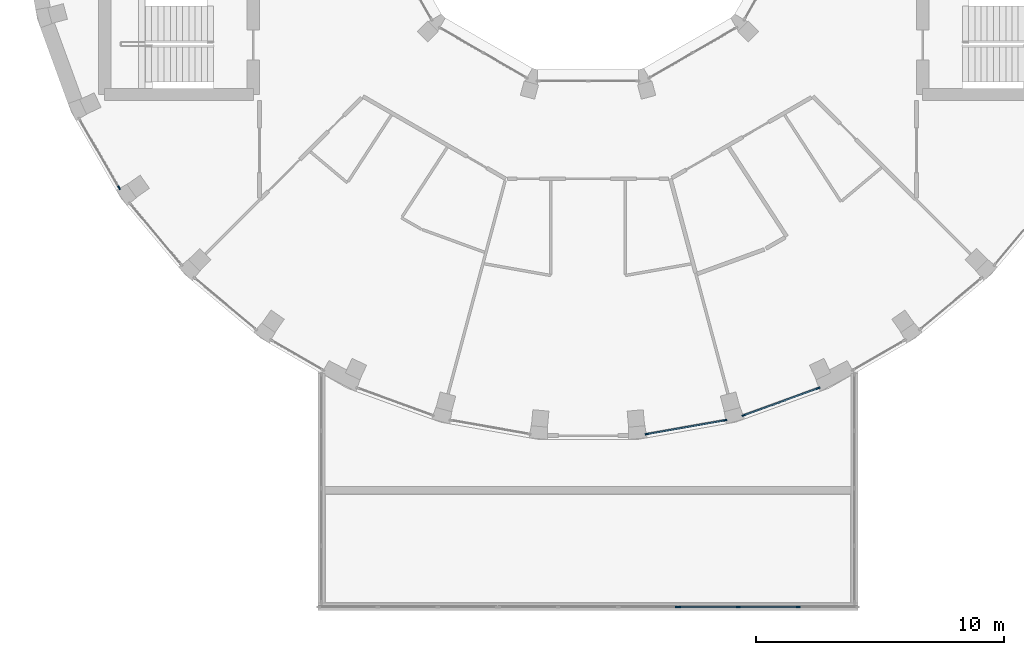
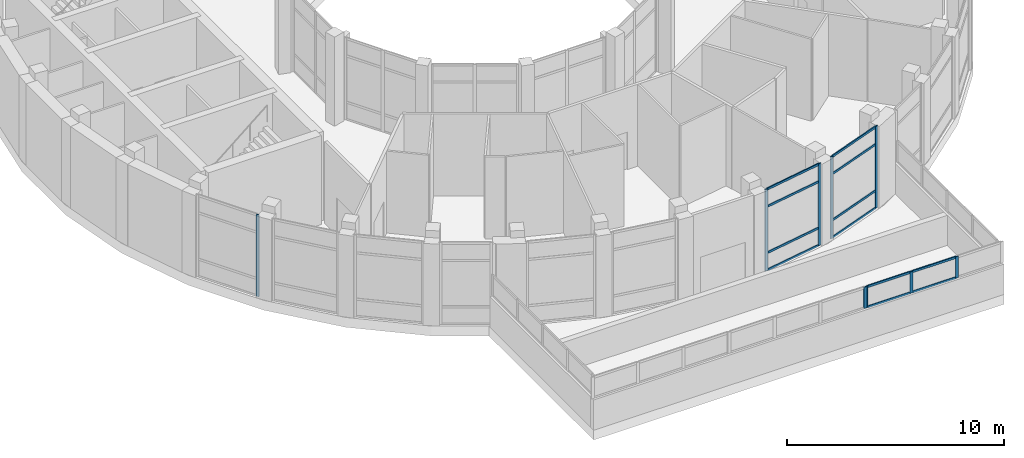
# One storey, part 3 of 19: 21 members, 5 elements without a shape of their own.
"""IFC4 building model written with IfcOpenShell, lengths in metres."""

from ifc_helpers import new_model, si_unit, direction, frame, origin, origin_2d, place, context, subcontext, project, spatial, rectangle, extrude, material, layer, layer_set, material_profile, profile_set, type_object, element, aggregate, save


model = new_model("IFC4")

# Units and contexts
model_context = context("Model", 3, precision=1e-05, world=origin(), true_north=direction((0.0, 1.0)))
body_context = subcontext(model_context, "Body", "Model", "MODEL_VIEW")
ifc_project = project(units=[si_unit("LENGTHUNIT", "METRE"), si_unit("AREAUNIT", "SQUARE_METRE"), si_unit("VOLUMEUNIT", "CUBIC_METRE"), si_unit("PLANEANGLEUNIT", "RADIAN"), si_unit("MASSUNIT", "GRAM", prefix="KILO")], contexts=[model_context])

# Site, building, storey
site_placement = place(None, origin())
site = spatial("IfcSite", under=ifc_project, at=site_placement, CompositionType="ELEMENT")
building_placement = place(site_placement, origin())
building = spatial("IfcBuilding", under=site, at=building_placement, Name="Saqina Gate Tower", CompositionType="ELEMENT")
storey_placement = place(building_placement, frame((0.0, 0.0, 224.699951171875)))
storey = spatial("IfcBuildingStorey", under=building, at=storey_placement, Name="L64", CompositionType="ELEMENT", Elevation=224.699951171875)

# Curtain wall, member
ifc_material_1 = material(Name="Aluminium glazing", Category="aluminium")
ifc_layer_1 = layer(ifc_material_1, 0.159912109375)
ifc_layer_set_1 = layer_set([ifc_layer_1], Name="CWT-2")
curtain_wall_type_1 = type_object("IfcCurtainWallType", Name="CWT-2", PredefinedType="NOTDEFINED", material=ifc_layer_set_1)
curtain_wall_1_placement = place(storey_placement, origin())
curtain_wall_1 = element("IfcCurtainWall", 1, at=curtain_wall_1_placement, inside=storey, type_object=curtain_wall_type_1, Name="Sky lounge glazing facet 21", PredefinedType="NOTDEFINED")
ifc_material_2 = material(Name="Aluminium", Category="aluminium")
ifc_material_profile_1 = material_profile(ifc_material_2, rectangle(XDim=0.06005859375, YDim=0.159912109375, at=origin_2d()), Name="Aluminium 60x160")
ifc_profile_set_1 = profile_set([ifc_material_profile_1], Name="Aluminium")
member_type_1 = type_object("IfcMemberType", Name="CWT-2M", PredefinedType="MULLION", material=ifc_profile_set_1)
member_1_placement = place(storey_placement, frame((-18.9150390625, -12.763427734375, 0.0), z_axis=(0.0, 0.0, 1.0), x_axis=(0.8660355365, 0.499982449212, 0.0)))
member_1 = element("IfcMember", 2, at=member_1_placement, type_object=member_type_1, Name="CW2-21 mullion 2", PredefinedType="MULLION", context=body_context, shape_type="SweptSolid", body=[
    extrude(rectangle(XDim=0.06005859375, YDim=0.159912109375, at=origin_2d()), origin(), (0.0, 0.0, 1.0), 4.60009765625),
])
aggregate(curtain_wall_1, [member_1])

# Curtain wall, members
curtain_wall_2_placement = place(storey_placement, origin())
curtain_wall_2 = element("IfcCurtainWall", 3, at=curtain_wall_2_placement, inside=storey, type_object=curtain_wall_type_1, Name="Sky lounge glazing facet 28", PredefinedType="NOTDEFINED")
member_2_placement = place(storey_placement, frame((2.381103515625, -22.69384765625, 0.0), z_axis=(0.0, 0.0, 1.0), x_axis=(-0.173662526718, 0.984805222779, 0.0)))
member_2 = element("IfcMember", 4, at=member_2_placement, type_object=member_type_1, Name="CW2-28 mullion 1", PredefinedType="MULLION", context=body_context, shape_type="SweptSolid", body=[
    extrude(rectangle(XDim=0.06005859375, YDim=0.159912109375, at=origin_2d()), origin(), (0.0, 0.0, 1.0), 4.60009765625),
])
member_3_placement = place(storey_placement, frame((5.524169921875, -22.139404296875, 0.0), z_axis=(0.0, 0.0, 1.0), x_axis=(-0.173662526718, 0.984805222779, 0.0)))
member_3 = element("IfcMember", 5, at=member_3_placement, type_object=member_type_1, Name="CW2-28 mullion 2", PredefinedType="MULLION", context=body_context, shape_type="SweptSolid", body=[
    extrude(rectangle(XDim=0.06005859375, YDim=0.159912109375, at=origin_2d()), origin(), (0.0, 0.0, 1.0), 4.60009765625),
])

curtain_wall_3_placement = place(storey_placement, origin())
curtain_wall_3 = element("IfcCurtainWall", 6, at=curtain_wall_3_placement, inside=storey, type_object=curtain_wall_type_1, Name="Sky lounge glazing facet 29", PredefinedType="NOTDEFINED")
member_4_placement = place(storey_placement, frame((6.28564453125, -21.935546875, 0.0), z_axis=(0.0, 0.0, 1.0), x_axis=(-0.342007258437, 0.939697310402, 0.0)))
member_4 = element("IfcMember", 7, at=member_4_placement, type_object=member_type_1, Name="CW2-29 mullion 1", PredefinedType="MULLION", context=body_context, shape_type="SweptSolid", body=[
    extrude(rectangle(XDim=0.06005859375, YDim=0.159912109375, at=origin_2d()), origin(), (0.0, 0.0, 1.0), 4.60009765625),
])
member_5_placement = place(storey_placement, frame((9.284912109375, -20.843994140625, 0.0), z_axis=(0.0, 0.0, 1.0), x_axis=(-0.342007258437, 0.939697310402, 0.0)))
member_5 = element("IfcMember", 8, at=member_5_placement, type_object=member_type_1, Name="CW2-29 mullion 2", PredefinedType="MULLION", context=body_context, shape_type="SweptSolid", body=[
    extrude(rectangle(XDim=0.06005859375, YDim=0.159912109375, at=origin_2d()), origin(), (0.0, 0.0, 1.0), 4.60009765625),
])

# Member
ifc_material_3 = material(Name="Aluminium", Category="aluminium")
ifc_material_profile_2 = material_profile(ifc_material_3, rectangle(XDim=0.06005859375, YDim=0.1201171875, at=origin_2d()), Name="Aluminium 60x120")
ifc_profile_set_2 = profile_set([ifc_material_profile_2], Name="Aluminium")
member_type_2 = type_object("IfcMemberType", Name="CWT-2T", PredefinedType="USERDEFINED", material=ifc_profile_set_2)
member_6_placement = place(storey_placement, frame((2.41064453125, -22.6884765625, 0.030029296875), z_axis=(0.984812584506, 0.173620774675, 0.0), x_axis=(-0.173620774675, 0.984812584506, 0.0)))
member_6 = element("IfcMember", 9, at=member_6_placement, type_object=member_type_2, Name="CW2-28 transom 1.1", ObjectType="TRANSOM", PredefinedType="USERDEFINED", context=body_context, shape_type="SweptSolid", body=[
    extrude(rectangle(XDim=0.06005859375, YDim=0.1201171875, at=origin_2d()), origin(), (0.0, 0.0, 1.0), 3.131591796875),
])

member_7_placement = place(storey_placement, frame((2.41064453125, -22.6884765625, 1.0), z_axis=(0.984812584506, 0.173620774675, 0.0), x_axis=(-0.173620774675, 0.984812584506, 0.0)))
member_7 = element("IfcMember", 10, at=member_7_placement, type_object=member_type_2, Name="CW2-28 transom 1.2", ObjectType="TRANSOM", PredefinedType="USERDEFINED", context=body_context, shape_type="SweptSolid", body=[
    extrude(rectangle(XDim=0.06005859375, YDim=0.1201171875, at=origin_2d()), origin(), (0.0, 0.0, 1.0), 3.131591796875),
])

member_8_placement = place(storey_placement, frame((2.41064453125, -22.6884765625, 3.60009765625), z_axis=(0.984812584506, 0.173620774675, 0.0), x_axis=(-0.173620774675, 0.984812584506, 0.0)))
member_8 = element("IfcMember", 11, at=member_8_placement, type_object=member_type_2, Name="CW2-28 transom 1.3", ObjectType="TRANSOM", PredefinedType="USERDEFINED", context=body_context, shape_type="SweptSolid", body=[
    extrude(rectangle(XDim=0.06005859375, YDim=0.1201171875, at=origin_2d()), origin(), (0.0, 0.0, 1.0), 3.131591796875),
])

member_9_placement = place(storey_placement, frame((2.41064453125, -22.6884765625, 4.570068359375), z_axis=(0.984812584506, 0.173620774675, 0.0), x_axis=(-0.173620774675, 0.984812584506, 0.0)))
member_9 = element("IfcMember", 12, at=member_9_placement, type_object=member_type_2, Name="CW2-28 transom 1.4", ObjectType="TRANSOM", PredefinedType="USERDEFINED", context=body_context, shape_type="SweptSolid", body=[
    extrude(rectangle(XDim=0.06005859375, YDim=0.1201171875, at=origin_2d()), origin(), (0.0, 0.0, 1.0), 3.131591796875),
])

aggregate(curtain_wall_2, [member_2, member_3, member_6, member_7, member_8, member_9])

member_10_placement = place(storey_placement, frame((6.313720703125, -21.92529296875, 0.030029296875), z_axis=(0.939700067025, 0.341999684258, 0.0), x_axis=(-0.341999684258, 0.939700067025, 0.0)))
member_10 = element("IfcMember", 13, at=member_10_placement, type_object=member_type_2, Name="CW2-29 transom 1.1", ObjectType="TRANSOM", PredefinedType="USERDEFINED", context=body_context, shape_type="SweptSolid", body=[
    extrude(rectangle(XDim=0.06005859375, YDim=0.1201171875, at=origin_2d()), origin(), (0.0, 0.0, 1.0), 3.131591796875),
])

member_11_placement = place(storey_placement, frame((6.313720703125, -21.92529296875, 1.0), z_axis=(0.939700067025, 0.341999684258, 0.0), x_axis=(-0.341999684258, 0.939700067025, 0.0)))
member_11 = element("IfcMember", 14, at=member_11_placement, type_object=member_type_2, Name="CW2-29 transom 1.2", ObjectType="TRANSOM", PredefinedType="USERDEFINED", context=body_context, shape_type="SweptSolid", body=[
    extrude(rectangle(XDim=0.06005859375, YDim=0.1201171875, at=origin_2d()), origin(), (0.0, 0.0, 1.0), 3.131591796875),
])

member_12_placement = place(storey_placement, frame((6.313720703125, -21.92529296875, 3.60009765625), z_axis=(0.939700067025, 0.341999684258, 0.0), x_axis=(-0.341999684258, 0.939700067025, 0.0)))
member_12 = element("IfcMember", 15, at=member_12_placement, type_object=member_type_2, Name="CW2-29 transom 1.3", ObjectType="TRANSOM", PredefinedType="USERDEFINED", context=body_context, shape_type="SweptSolid", body=[
    extrude(rectangle(XDim=0.06005859375, YDim=0.1201171875, at=origin_2d()), origin(), (0.0, 0.0, 1.0), 3.131591796875),
])

member_13_placement = place(storey_placement, frame((6.313720703125, -21.92529296875, 4.570068359375), z_axis=(0.939700067025, 0.341999684258, 0.0), x_axis=(-0.341999684258, 0.939700067025, 0.0)))
member_13 = element("IfcMember", 16, at=member_13_placement, type_object=member_type_2, Name="CW2-29 transom 1.4", ObjectType="TRANSOM", PredefinedType="USERDEFINED", context=body_context, shape_type="SweptSolid", body=[
    extrude(rectangle(XDim=0.06005859375, YDim=0.1201171875, at=origin_2d()), origin(), (0.0, 0.0, 1.0), 3.131591796875),
])

aggregate(curtain_wall_3, [member_4, member_5, member_10, member_11, member_12, member_13])

# Curtain wall, member
ifc_material_4 = material(Name="Aluminium glazing", Category="aluminium")
ifc_layer_2 = layer(ifc_material_4, 0.159912109375)
ifc_layer_set_2 = layer_set([ifc_layer_2], Name="CWT-6")
curtain_wall_type_2 = type_object("IfcCurtainWallType", Name="CWT-6", PredefinedType="NOTDEFINED", material=ifc_layer_set_2)
curtain_wall_4_placement = place(storey_placement, origin())
curtain_wall_4 = element("IfcCurtainWall", 17, at=curtain_wall_4_placement, inside=storey, type_object=curtain_wall_type_2, Name="Sky pool glass S2", PredefinedType="NOTDEFINED")
ifc_material_5 = material(Name="Aluminium", Category="aluminium")
ifc_material_profile_3 = material_profile(ifc_material_5, rectangle(XDim=0.06005859375, YDim=0.159912109375, at=origin_2d()), Name="Aluminium 60x160")
ifc_profile_set_3 = profile_set([ifc_material_profile_3], Name="Aluminium")
member_type_3 = type_object("IfcMemberType", Name="CWT-6M", PredefinedType="MULLION", material=ifc_profile_set_3)
member_14_placement = place(storey_placement, frame((3.603271484375, -29.66259765625, 1.699951171875), z_axis=(0.0, 0.0, 1.0), x_axis=(0.0, 1.0, 0.0)))
member_14 = element("IfcMember", 18, at=member_14_placement, type_object=member_type_3, Name="CW6-S2 mullion 4", PredefinedType="MULLION", context=body_context, shape_type="SweptSolid", body=[
    extrude(rectangle(XDim=0.06005859375, YDim=0.159912109375, at=origin_2d()), origin(), (0.0, 0.0, 1.0), 1.2001953125),
])
aggregate(curtain_wall_4, [member_14])

# Curtain wall, members
curtain_wall_5_placement = place(storey_placement, origin())
curtain_wall_5 = element("IfcCurtainWall", 19, at=curtain_wall_5_placement, inside=storey, type_object=curtain_wall_type_2, Name="Sky pool glass S3", PredefinedType="NOTDEFINED")
member_15_placement = place(storey_placement, frame((3.663330078125, -29.66259765625, 1.699951171875), z_axis=(0.0, 0.0, 1.0), x_axis=(0.0, 1.0, 0.0)))
member_15 = element("IfcMember", 20, at=member_15_placement, type_object=member_type_3, Name="CW6-S3 mullion 1", PredefinedType="MULLION", context=body_context, shape_type="SweptSolid", body=[
    extrude(rectangle(XDim=0.06005859375, YDim=0.159912109375, at=origin_2d()), origin(), (0.0, 0.0, 1.0), 1.2001953125),
])
member_16_placement = place(storey_placement, frame((6.055419921875, -29.66259765625, 1.699951171875), z_axis=(0.0, 0.0, 1.0), x_axis=(0.0, 1.0, 0.0)))
member_16 = element("IfcMember", 21, at=member_16_placement, type_object=member_type_3, Name="CW6-S3 mullion 2", PredefinedType="MULLION", context=body_context, shape_type="SweptSolid", body=[
    extrude(rectangle(XDim=0.06005859375, YDim=0.159912109375, at=origin_2d()), origin(), (0.0, 0.0, 1.0), 1.2001953125),
])
member_17_placement = place(storey_placement, frame((8.477783203125, -29.66259765625, 1.699951171875), z_axis=(0.0, 0.0, 1.0), x_axis=(0.0, 1.0, 0.0)))
member_17 = element("IfcMember", 22, at=member_17_placement, type_object=member_type_3, Name="CW6-S3 mullion 3", PredefinedType="MULLION", context=body_context, shape_type="SweptSolid", body=[
    extrude(rectangle(XDim=0.06005859375, YDim=0.159912109375, at=origin_2d()), origin(), (0.0, 0.0, 1.0), 1.2001953125),
])
ifc_material_6 = material(Name="Aluminium", Category="aluminium")
ifc_material_profile_4 = material_profile(ifc_material_6, rectangle(XDim=0.06005859375, YDim=0.1201171875, at=origin_2d()), Name="Aluminium 60x120")
ifc_profile_set_4 = profile_set([ifc_material_profile_4], Name="Aluminium")
member_type_4 = type_object("IfcMemberType", Name="CWT-6T", PredefinedType="USERDEFINED", material=ifc_profile_set_4)
member_18_placement = place(storey_placement, frame((3.693359375, -29.66259765625, 1.72998046875), z_axis=(1.0, 0.0, 0.0), x_axis=(0.0, 1.0, 0.0)))
member_18 = element("IfcMember", 23, at=member_18_placement, type_object=member_type_4, Name="CW6-S3 transom 1.1", ObjectType="TRANSOM", PredefinedType="USERDEFINED", context=body_context, shape_type="SweptSolid", body=[
    extrude(rectangle(XDim=0.06005859375, YDim=0.1201171875, at=origin_2d()), origin(), (0.0, 0.0, 1.0), 2.332275390625),
])
member_19_placement = place(storey_placement, frame((3.693359375, -29.66259765625, 2.8701171875), z_axis=(1.0, 0.0, 0.0), x_axis=(0.0, 1.0, 0.0)))
member_19 = element("IfcMember", 24, at=member_19_placement, type_object=member_type_4, Name="CW6-S3 transom 1.2", ObjectType="TRANSOM", PredefinedType="USERDEFINED", context=body_context, shape_type="SweptSolid", body=[
    extrude(rectangle(XDim=0.06005859375, YDim=0.1201171875, at=origin_2d()), origin(), (0.0, 0.0, 1.0), 2.332275390625),
])
member_20_placement = place(storey_placement, frame((6.08544921875, -29.66259765625, 1.72998046875), z_axis=(1.0, 0.0, 0.0), x_axis=(0.0, 1.0, 0.0)))
member_20 = element("IfcMember", 25, at=member_20_placement, type_object=member_type_4, Name="CW6-S3 transom 2.1", ObjectType="TRANSOM", PredefinedType="USERDEFINED", context=body_context, shape_type="SweptSolid", body=[
    extrude(rectangle(XDim=0.06005859375, YDim=0.1201171875, at=origin_2d()), origin(), (0.0, 0.0, 1.0), 2.3623046875),
])
member_21_placement = place(storey_placement, frame((6.08544921875, -29.66259765625, 2.8701171875), z_axis=(1.0, 0.0, 0.0), x_axis=(0.0, 1.0, 0.0)))
member_21 = element("IfcMember", 26, at=member_21_placement, type_object=member_type_4, Name="CW6-S3 transom 2.2", ObjectType="TRANSOM", PredefinedType="USERDEFINED", context=body_context, shape_type="SweptSolid", body=[
    extrude(rectangle(XDim=0.06005859375, YDim=0.1201171875, at=origin_2d()), origin(), (0.0, 0.0, 1.0), 2.3623046875),
])
aggregate(curtain_wall_5, [member_15, member_16, member_17, member_18, member_19, member_20, member_21])

save(model, "model.ifc")
